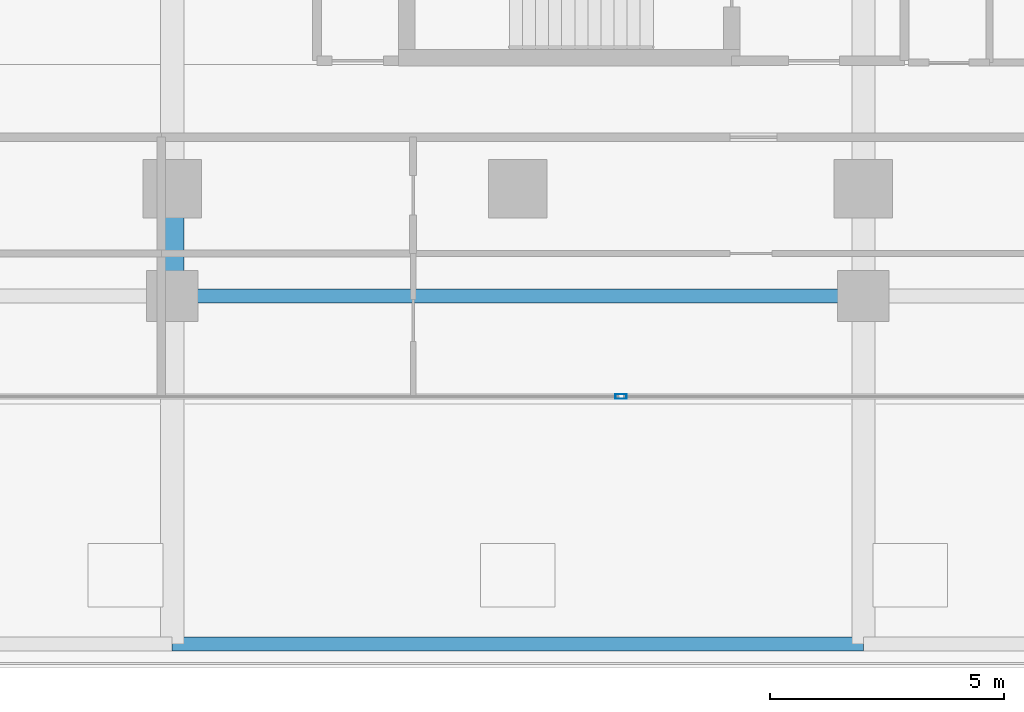
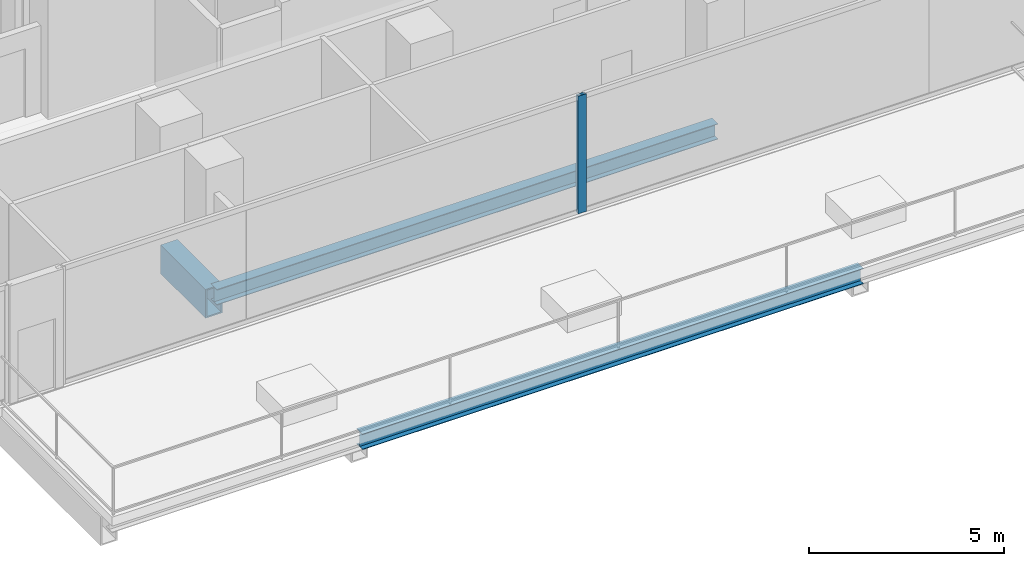
# One storey, part 4 of 29: 3 beams, 1 member, 1 element without a shape of its own.
"""IFC4 building model written with IfcOpenShell, lengths in metres."""

from ifc_helpers import new_model, si_unit, direction, frame, origin, origin_2d, place, context, subcontext, project, spatial, hollow_rectangle, i_section, extrude, material, layer, layer_set, material_profile, profile_set, type_object, element, aggregate, save


model = new_model("IFC4")

# Units and contexts
model_context = context("Model", 3, precision=1e-05, world=origin(), true_north=direction((0.0, 1.0)))
body_context = subcontext(model_context, "Body", "Model", "MODEL_VIEW")
ifc_project = project(units=[si_unit("LENGTHUNIT", "METRE"), si_unit("AREAUNIT", "SQUARE_METRE"), si_unit("VOLUMEUNIT", "CUBIC_METRE"), si_unit("PLANEANGLEUNIT", "RADIAN"), si_unit("MASSUNIT", "GRAM", prefix="KILO")], contexts=[model_context])

# Site, building, storey
site_placement = place(None, origin())
site = spatial("IfcSite", under=ifc_project, at=site_placement, CompositionType="ELEMENT")
building_placement = place(site_placement, origin())
building = spatial("IfcBuilding", under=site, at=building_placement, Name="Khorvyn Point Tower", CompositionType="ELEMENT")
storey_placement = place(building_placement, frame((0.0, 0.0, 85.199951171875)))
storey = spatial("IfcBuildingStorey", under=building, at=storey_placement, Name="L21", CompositionType="ELEMENT", Elevation=85.199951171875)

# Curtain wall, member
ifc_material_1 = material(Name="Anodised aluminium 6063-T6 and laminated Low-E glass", Category="aluminium")
ifc_layer = layer(ifc_material_1, 0.18994140625)
ifc_layer_set = layer_set([ifc_layer], Name="Stick-Built Finned Residential Curtain Wall CW-SYS-02")
curtain_wall_type = type_object("IfcCurtainWallType", Name="Stick-Built Finned Residential Curtain Wall CW-SYS-02", PredefinedType="NOTDEFINED", material=ifc_layer_set)
curtain_wall_placement = place(storey_placement, origin())
curtain_wall = element("IfcCurtainWall", 1, at=curtain_wall_placement, inside=storey, type_object=curtain_wall_type, Name="Curtain Wall", PredefinedType="NOTDEFINED")
ifc_material_2 = material(Name="Anodised aluminium 6063-T6", Category="aluminium")
ifc_material_profile_1 = material_profile(ifc_material_2, hollow_rectangle(XDim=0.10009765625, YDim=0.239990234375, WallThickness=0.0048828125, at=origin_2d()))
ifc_profile_set_1 = profile_set([ifc_material_profile_1], Name="Anodised aluminium 6063-T6 ALU-MUL-100x240")
member_type = type_object("IfcMemberType", Name="Anodised Aluminium 6063-T6 Mullion ALU-MUL-100x240", PredefinedType="MULLION", material=ifc_profile_set_1)
member_placement = place(storey_placement, frame((2.2099609375, -19.25, 0.0), z_axis=(0.0, 0.0, 1.0), x_axis=(0.0, -1.0, 0.0)))
member = element("IfcMember", 2, at=member_placement, type_object=member_type, Name="Transom", PredefinedType="MULLION", context=body_context, shape_type="SweptSolid", body=[
    extrude(hollow_rectangle(XDim=0.10009765625, YDim=0.239990234375, WallThickness=0.0048828125, at=origin_2d()), origin(), (0.0, 0.0, 1.0), 3.679931640625),
])
aggregate(curtain_wall, [member])

# Beams
ifc_material_3 = material(Name="Steel S355", Category="steel")
ifc_material_profile_2 = material_profile(ifc_material_3, i_section(OverallWidth=0.300048828125, OverallDepth=0.488037109375, WebThickness=0.010986328125, FlangeThickness=0.01806640625, at=origin_2d()))
ifc_profile_set_2 = profile_set([ifc_material_profile_2], Name="Steel S355 H488x300x11x18")
beam_type_1 = type_object("IfcBeamType", Name="Steel S355 Spandrel H488x300x11x18", PredefinedType="SPANDREL", material=ifc_profile_set_2)
for number, where, z_axis, x_axis, name in (
    (3, (-7.39990234375, -17.10009765625, -0.52392578125), (1.0, 0.0, 0.0), (0.0, 1.0, 0.0), "Beam"),
    (4, (-7.39990234375, -24.550048828125, -0.52392578125), (1.0, 0.0, 0.0), (0.0, 1.0, 0.0), "Beam"),
):
    element("IfcBeam", number, at=place(storey_placement, frame(where, z_axis=z_axis, x_axis=x_axis)), inside=storey, type_object=beam_type_1, Name=name, PredefinedType="SPANDREL", context=body_context, shape_type="SweptSolid", body=[
        extrude(i_section(OverallWidth=0.300048828125, OverallDepth=0.488037109375, WebThickness=0.010986328125, FlangeThickness=0.01806640625, at=origin_2d()), origin(), (0.0, 0.0, 1.0), 14.7998046875),
    ])
ifc_material_4 = material(Name="Steel S450", Category="steel")
ifc_material_profile_3 = material_profile(ifc_material_4, hollow_rectangle(XDim=0.5, YDim=0.89990234375, WallThickness=0.0400390625, at=origin_2d()))
ifc_profile_set_3 = profile_set([ifc_material_profile_3], Name="Steel S450 BOX900x500x40")
beam_type_2 = type_object("IfcBeamType", Name="Steel S450 Beam BOX900x500x40", PredefinedType="BEAM", material=ifc_profile_set_3)
beam_placement = place(storey_placement, frame((-7.39990234375, -17.10009765625, -0.72998046875), z_axis=(0.0, 1.0, 0.0), x_axis=(-1.0, 0.0, 0.0)))
element("IfcBeam", 5, at=beam_placement, inside=storey, type_object=beam_type_2, Name="Beam", PredefinedType="BEAM", context=body_context, shape_type="SweptSolid", body=[
    extrude(hollow_rectangle(XDim=0.5, YDim=0.89990234375, WallThickness=0.0400390625, at=origin_2d()), origin(), (0.0, 0.0, 1.0), 2.300048828125),
])

save(model, "model.ifc")
